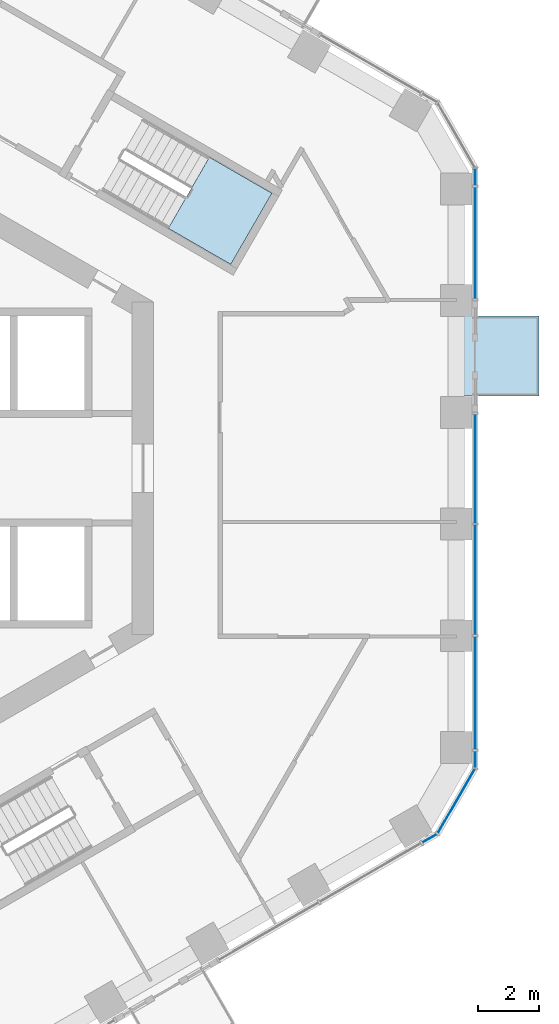
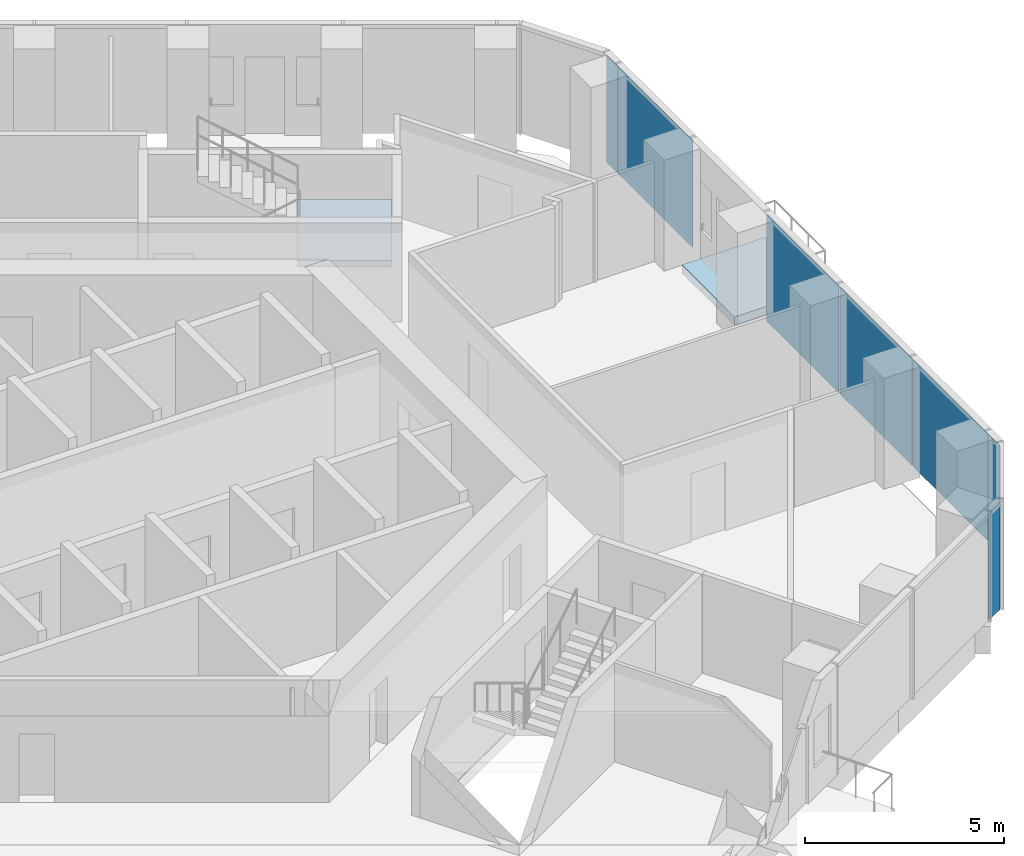
# One storey, part 11 of 20: 8 plates, 2 slabs, 5 elements without a shape of their own.
"""IFC4 building model written with IfcOpenShell, lengths in metres."""

from ifc_helpers import new_model, si_unit, direction, frame, origin, origin_2d, place, context, subcontext, project, spatial, polyline, rectangle, outline, extrude, material, layer, layer_set, type_object, element, aggregate, save


model = new_model("IFC4")

# Units and contexts
model_context = context("Model", 3, precision=1e-05, world=origin(), true_north=direction((0.0, 1.0)))
body_context = subcontext(model_context, "Body", "Model", "MODEL_VIEW")
ifc_project = project(units=[si_unit("LENGTHUNIT", "METRE"), si_unit("AREAUNIT", "SQUARE_METRE"), si_unit("VOLUMEUNIT", "CUBIC_METRE"), si_unit("PLANEANGLEUNIT", "RADIAN"), si_unit("MASSUNIT", "GRAM", prefix="KILO")], contexts=[model_context])

# Site, building, storey
site_placement = place(None, origin())
site = spatial("IfcSite", under=ifc_project, at=site_placement, CompositionType="ELEMENT")
building_placement = place(site_placement, origin())
building = spatial("IfcBuilding", under=site, at=building_placement, Name="Ayvan Gate Tower", CompositionType="ELEMENT")
storey_placement = place(building_placement, frame((0.0, 0.0, 96.699951171875)))
storey = spatial("IfcBuildingStorey", under=building, at=storey_placement, Name="L25", CompositionType="ELEMENT", Elevation=96.699951171875)

# Slab
ifc_material_1 = material(Name="Concrete C40/50", Category="concrete")
ifc_layer_1 = layer(ifc_material_1, 0.25)
ifc_layer_set_1 = layer_set([ifc_layer_1], Name="Concrete C40/50")
slab_type_1 = type_object("IfcSlabType", Name="Balcony slab 250", PredefinedType="FLOOR", material=ifc_layer_set_1)
slab_1_placement = place(storey_placement, frame((0.0, 0.0, -0.25)))
element("IfcSlab", 1, at=slab_1_placement, inside=storey, type_object=slab_type_1, Name="Balcony slab BAL-L25-0", PredefinedType="FLOOR", context=body_context, shape_type="SweptSolid", body=[
    extrude(outline(polyline([(19.485595703125, 2.373779296875), (19.485595703125, 5.021240234375), (22.210693359375, 5.021240234375), (22.210693359375, 2.373779296875), (19.485595703125, 2.373779296875)])), origin(), (0.0, 0.0, 1.0), 0.25),
])

# Stair, slab
stair_type = type_object("IfcStairType", Name="ST-EXIT", PredefinedType="HALF_TURN_STAIR", material=ifc_material_1)
stair_placement = place(storey_placement, origin())
stair = element("IfcStair", 2, at=stair_placement, inside=storey, type_object=stair_type, Name="L25 Exit Stair S1", PredefinedType="HALF_TURN_STAIR")
ifc_layer_2 = layer(ifc_material_1, 0.199951171875)
ifc_layer_set_2 = layer_set([ifc_layer_2], Name="Concrete C40/50")
slab_type_2 = type_object("IfcSlabType", Name="SL-LANDING-200", PredefinedType="LANDING", material=ifc_layer_set_2)
slab_2_placement = place(storey_placement, frame((0.0, 0.0, 1.5)))
slab_2 = element("IfcSlab", 3, at=slab_2_placement, type_object=slab_type_2, Name="STS1 landing 1", PredefinedType="LANDING", context=body_context, shape_type="SweptSolid", body=[
    extrude(outline(polyline([(9.988525390625, 7.91064453125), (12.049560546875, 6.720458984375), (13.404541015625, 9.0673828125), (11.343505859375, 10.257568359375), (9.988525390625, 7.91064453125)])), origin(), (0.0, 0.0, 1.0), 0.199951171875),
])
aggregate(stair, [slab_2])

# Curtain wall, plates
ifc_material_2 = material(Name="Bronze anodised aluminium", Category="aluminium")
ifc_layer_3 = layer(ifc_material_2, 0.199951171875)
ifc_layer_set_3 = layer_set([ifc_layer_3], Name="Bronze anodised aluminium")
curtain_wall_type_1 = type_object("IfcCurtainWallType", Name="Stick curtain wall CW-1", PredefinedType="NOTDEFINED", material=ifc_layer_set_3)
curtain_wall_1_placement = place(storey_placement, origin())
curtain_wall_1 = element("IfcCurtainWall", 4, at=curtain_wall_1_placement, inside=storey, type_object=curtain_wall_type_1, Name="Stick curtain wall CW-1 L25", PredefinedType="NOTDEFINED")
ifc_material_3 = material(Name="Clear low-iron laminated glass", Category="glass")
ifc_layer_4 = layer(ifc_material_3, 0.028076171875)
ifc_layer_set_4 = layer_set([ifc_layer_4], Name="Clear low-iron laminated glass")
plate_type_1 = type_object("IfcPlateType", Name="Stick curtain wall CW-1 glass panel", PredefinedType="CURTAIN_PANEL", material=ifc_layer_set_4)
plate_1_placement = place(storey_placement, frame((20.110595703125, -7.426025390625, 0.0), z_axis=(0.0, 0.0, 1.0), x_axis=(0.0, 1.0, 0.0)))
plate_1 = element("IfcPlate", 5, at=plate_1_placement, type_object=plate_type_1, Name="CW-1 glass panel 1", PredefinedType="CURTAIN_PANEL", context=body_context, shape_type="SweptSolid", body=[
    extrude(rectangle(XDim=3.739990234375, YDim=0.028076171875, at=origin_2d()), origin(), (0.0, 0.0, 1.0), 3.280029296875),
])
plate_2_placement = place(storey_placement, frame((20.110595703125, -3.68408203125, 0.0), z_axis=(0.0, 0.0, 1.0), x_axis=(0.0, 1.0, 0.0)))
plate_2 = element("IfcPlate", 6, at=plate_2_placement, type_object=plate_type_1, Name="CW-1 glass panel 2", PredefinedType="CURTAIN_PANEL", context=body_context, shape_type="SweptSolid", body=[
    extrude(rectangle(XDim=3.6240234375, YDim=0.028076171875, at=origin_2d()), origin(), (0.0, 0.0, 1.0), 3.280029296875),
])
plate_3_placement = place(storey_placement, frame((20.110595703125, 0.0, 0.0), z_axis=(0.0, 0.0, 1.0), x_axis=(0.0, 1.0, 0.0)))
plate_3 = element("IfcPlate", 7, at=plate_3_placement, type_object=plate_type_1, Name="CW-1 glass panel 3", PredefinedType="CURTAIN_PANEL", context=body_context, shape_type="SweptSolid", body=[
    extrude(rectangle(XDim=3.6240234375, YDim=0.028076171875, at=origin_2d()), origin(), (0.0, 0.0, 1.0), 3.280029296875),
])
aggregate(curtain_wall_1, [plate_1, plate_2, plate_3])

# Curtain wall, plate
curtain_wall_2_placement = place(storey_placement, origin())
curtain_wall_2 = element("IfcCurtainWall", 8, at=curtain_wall_2_placement, inside=storey, type_object=curtain_wall_type_1, Name="Stick curtain wall CW-1 L25", PredefinedType="NOTDEFINED")
plate_4_placement = place(storey_placement, frame((20.110595703125, 7.426025390625, 0.0), z_axis=(0.0, 0.0, 1.0), x_axis=(0.0, 1.0, 0.0)))
plate_4 = element("IfcPlate", 9, at=plate_4_placement, type_object=plate_type_1, Name="CW-1 glass panel 1", PredefinedType="CURTAIN_PANEL", context=body_context, shape_type="SweptSolid", body=[
    extrude(rectangle(XDim=3.740234375, YDim=0.028076171875, at=origin_2d()), origin(), (0.0, 0.0, 1.0), 3.280029296875),
])
aggregate(curtain_wall_2, [plate_4])

# Curtain wall, plates
ifc_layer_5 = layer(ifc_material_2, 0.199951171875)
ifc_layer_set_5 = layer_set([ifc_layer_5], Name="Bronze anodised aluminium")
curtain_wall_type_2 = type_object("IfcCurtainWallType", Name="Stick curtain wall CW-6", PredefinedType="NOTDEFINED", material=ifc_layer_set_5)
curtain_wall_3_placement = place(storey_placement, origin())
curtain_wall_3 = element("IfcCurtainWall", 10, at=curtain_wall_3_placement, inside=storey, type_object=curtain_wall_type_2, Name="Stick curtain wall CW-6 L25", PredefinedType="NOTDEFINED")
ifc_layer_6 = layer(ifc_material_3, 0.028076171875)
ifc_layer_set_6 = layer_set([ifc_layer_6], Name="Clear low-iron laminated glass")
plate_type_2 = type_object("IfcPlateType", Name="Stick curtain wall CW-6 glass panel", PredefinedType="CURTAIN_PANEL", material=ifc_layer_set_6)
plate_5_placement = place(storey_placement, frame((18.607421875, -12.20458984375, 0.0), z_axis=(0.0, 0.0, 1.0), x_axis=(0.866025403784, 0.5, 0.0)))
plate_5 = element("IfcPlate", 11, at=plate_5_placement, type_object=plate_type_2, Name="CW-6 glass panel 1", PredefinedType="CURTAIN_PANEL", context=body_context, shape_type="SweptSolid", body=[
    extrude(rectangle(XDim=0.550048828125, YDim=0.028076171875, at=origin_2d()), origin(), (0.0, 0.0, 1.0), 3.280029296875),
])
plate_6_placement = place(storey_placement, frame((19.489013671875, -10.977783203125, 0.0), z_axis=(0.0, 0.0, 1.0), x_axis=(0.5, 0.866025403784, 0.0)))
plate_6 = element("IfcPlate", 12, at=plate_6_placement, type_object=plate_type_2, Name="CW-6 glass panel 2", PredefinedType="CURTAIN_PANEL", context=body_context, shape_type="SweptSolid", body=[
    extrude(rectangle(XDim=2.4365234375, YDim=0.028076171875, at=origin_2d()), origin(), (0.0, 0.0, 1.0), 3.280029296875),
])
plate_7_placement = place(storey_placement, frame((20.110595703125, -9.60107421875, 0.0), z_axis=(0.0, 0.0, 1.0), x_axis=(0.0, 1.0, 0.0)))
plate_7 = element("IfcPlate", 13, at=plate_7_placement, type_object=plate_type_2, Name="CW-6 glass panel 3", PredefinedType="CURTAIN_PANEL", context=body_context, shape_type="SweptSolid", body=[
    extrude(rectangle(XDim=0.550048828125, YDim=0.028076171875, at=origin_2d()), origin(), (0.0, 0.0, 1.0), 3.280029296875),
])
aggregate(curtain_wall_3, [plate_5, plate_6, plate_7])

# Curtain wall, plate
curtain_wall_4_placement = place(storey_placement, origin())
curtain_wall_4 = element("IfcCurtainWall", 14, at=curtain_wall_4_placement, inside=storey, type_object=curtain_wall_type_2, Name="Stick curtain wall CW-6 L25", PredefinedType="NOTDEFINED")
plate_8_placement = place(storey_placement, frame((20.110595703125, 9.60107421875, 0.0), z_axis=(0.0, 0.0, 1.0), x_axis=(0.0, 1.0, 0.0)))
plate_8 = element("IfcPlate", 15, at=plate_8_placement, type_object=plate_type_2, Name="CW-6 glass panel 1", PredefinedType="CURTAIN_PANEL", context=body_context, shape_type="SweptSolid", body=[
    extrude(rectangle(XDim=0.550048828125, YDim=0.028076171875, at=origin_2d()), origin(), (0.0, 0.0, 1.0), 3.280029296875),
])
aggregate(curtain_wall_4, [plate_8])

save(model, "model.ifc")
